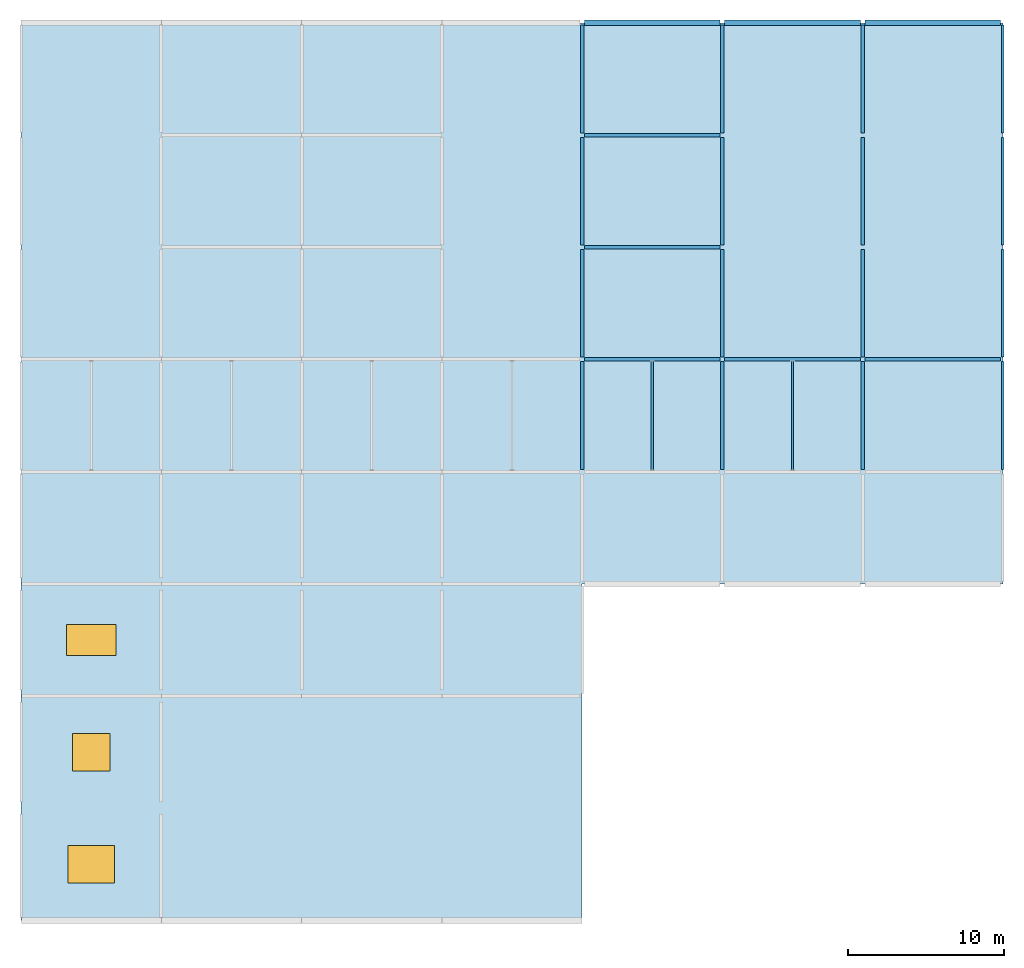
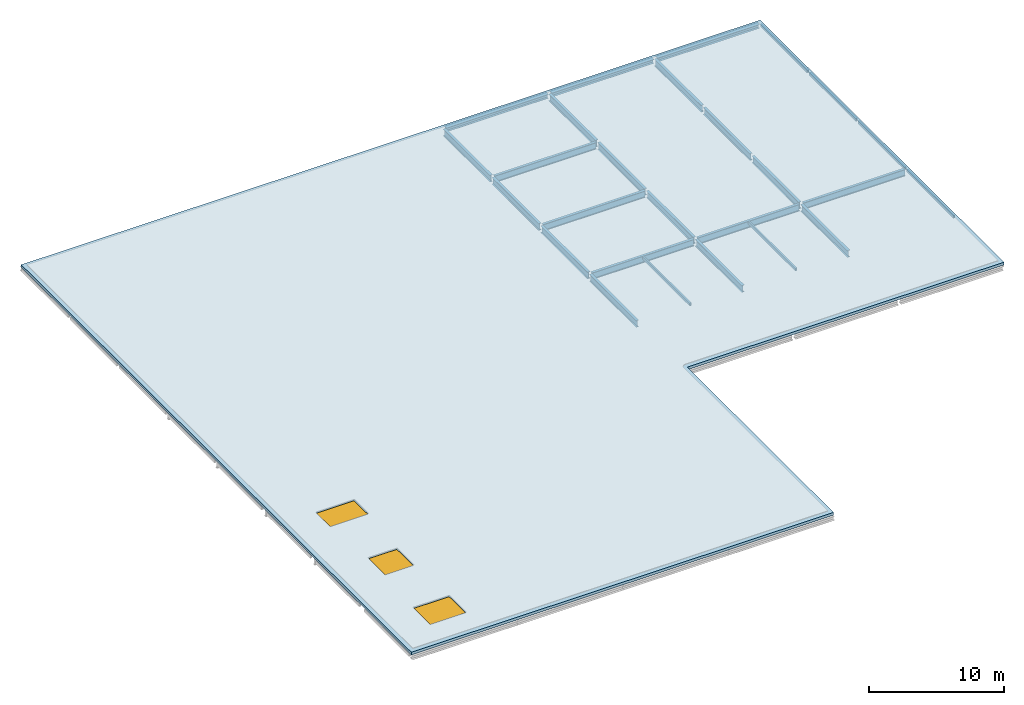
# One storey, part 2 of 7: 24 beams, 3 windows, 2 members, 1 slab, 3 openings.
"""IFC4 building model written with IfcOpenShell, lengths in metres."""

from ifc_helpers import new_model, si_unit, direction, frame, origin, origin_2d, place, context, subcontext, project, spatial, polyline, rectangle, hollow_rectangle, i_section, outline, extrude, material, layer, layer_set, material_profile, profile_set, type_object, element, fill, save


model = new_model("IFC4")

# Units and contexts
model_context = context("Model", 3, precision=1e-05, world=origin(), true_north=direction((0.0, 1.0)))
body_context = subcontext(model_context, "Body", "Model", "MODEL_VIEW")
ifc_project = project(units=[si_unit("LENGTHUNIT", "METRE"), si_unit("AREAUNIT", "SQUARE_METRE"), si_unit("VOLUMEUNIT", "CUBIC_METRE"), si_unit("PLANEANGLEUNIT", "RADIAN"), si_unit("MASSUNIT", "GRAM", prefix="KILO")], contexts=[model_context])

# Site, building, storey
site_placement = place(None, origin())
site = spatial("IfcSite", under=ifc_project, at=site_placement, CompositionType="ELEMENT")
building_placement = place(site_placement, origin())
building = spatial("IfcBuilding", under=site, at=building_placement, Name="Celestram Park Convention Centre", CompositionType="ELEMENT")
storey_placement = place(building_placement, frame((0.0, 0.0, 28.800048828125)))
storey = spatial("IfcBuildingStorey", under=building, at=storey_placement, Name="RF", CompositionType="ELEMENT", Elevation=28.800048828125)

# Beams
ifc_material_1 = material(Name="Steel ASTM A992 Grade 50", Category="steel")
ifc_material_profile_1 = material_profile(ifc_material_1, i_section(OverallWidth=0.22900390625, OverallDepth=0.612060546875, WebThickness=0.011962890625, FlangeThickness=0.01953125, at=origin_2d()), Name="W24X84")
ifc_profile_set_1 = profile_set([ifc_material_profile_1], Name="Steel ASTM A992 Grade 50")
beam_type_1 = type_object("IfcBeamType", Name="STR-BM-W24X84", PredefinedType="BEAM", material=ifc_profile_set_1)
beam_1_placement = place(storey_placement, frame((72.0, 136.9462890625, -0.546142578125), z_axis=(0.0, 1.0, 0.0), x_axis=(-1.0, 0.0, 0.0)))
element("IfcBeam", 1, at=beam_1_placement, inside=storey, type_object=beam_type_1, Name="Primary Y-girder BG-RF-0061", PredefinedType="BEAM", context=body_context, shape_type="SweptSolid", body=[
    extrude(i_section(OverallWidth=0.22900390625, OverallDepth=0.612060546875, WebThickness=0.011962890625, FlangeThickness=0.01953125, at=origin_2d()), origin(), (0.0, 0.0, 1.0), 6.907470703125),
])
beam_2_placement = place(storey_placement, frame((72.146240234375, 144.0, -0.546142578125), z_axis=(1.0, 0.0, 0.0), x_axis=(0.0, 1.0, 0.0)))
element("IfcBeam", 2, at=beam_2_placement, inside=storey, type_object=beam_type_1, Name="Primary X-girder BG-RF-0062", PredefinedType="BEAM", context=body_context, shape_type="SweptSolid", body=[
    extrude(i_section(OverallWidth=0.22900390625, OverallDepth=0.612060546875, WebThickness=0.011962890625, FlangeThickness=0.01953125, at=origin_2d()), origin(), (0.0, 0.0, 1.0), 8.70751953125),
])
beam_3_placement = place(storey_placement, frame((72.0, 144.146240234375, -0.546142578125), z_axis=(0.0, 1.0, 0.0), x_axis=(-1.0, 0.0, 0.0)))
element("IfcBeam", 3, at=beam_3_placement, inside=storey, type_object=beam_type_1, Name="Primary Y-girder BG-RF-0063", PredefinedType="BEAM", context=body_context, shape_type="SweptSolid", body=[
    extrude(i_section(OverallWidth=0.22900390625, OverallDepth=0.612060546875, WebThickness=0.011962890625, FlangeThickness=0.01953125, at=origin_2d()), origin(), (0.0, 0.0, 1.0), 6.907470703125),
])
beam_4_placement = place(storey_placement, frame((72.146240234375, 151.199951171875, -0.546142578125), z_axis=(1.0, 0.0, 0.0), x_axis=(0.0, 1.0, 0.0)))
element("IfcBeam", 4, at=beam_4_placement, inside=storey, type_object=beam_type_1, Name="Primary X-girder BG-RF-0064", PredefinedType="BEAM", context=body_context, shape_type="SweptSolid", body=[
    extrude(i_section(OverallWidth=0.22900390625, OverallDepth=0.612060546875, WebThickness=0.011962890625, FlangeThickness=0.01953125, at=origin_2d()), origin(), (0.0, 0.0, 1.0), 8.70751953125),
])
beam_5_placement = place(storey_placement, frame((72.0, 151.34619140625, -0.546142578125), z_axis=(0.0, 1.0, 0.0), x_axis=(-1.0, 0.0, 0.0)))
element("IfcBeam", 5, at=beam_5_placement, inside=storey, type_object=beam_type_1, Name="Primary Y-girder BG-RF-0065", PredefinedType="BEAM", context=body_context, shape_type="SweptSolid", body=[
    extrude(i_section(OverallWidth=0.22900390625, OverallDepth=0.612060546875, WebThickness=0.011962890625, FlangeThickness=0.01953125, at=origin_2d()), origin(), (0.0, 0.0, 1.0), 6.90771484375),
])
beam_6_placement = place(storey_placement, frame((72.146240234375, 158.39990234375, -0.546142578125), z_axis=(1.0, 0.0, 0.0), x_axis=(0.0, 1.0, 0.0)))
element("IfcBeam", 6, at=beam_6_placement, inside=storey, type_object=beam_type_1, Name="Primary X-girder BG-RF-0066", PredefinedType="BEAM", context=body_context, shape_type="SweptSolid", body=[
    extrude(i_section(OverallWidth=0.22900390625, OverallDepth=0.612060546875, WebThickness=0.011962890625, FlangeThickness=0.01953125, at=origin_2d()), origin(), (0.0, 0.0, 1.0), 8.70751953125),
])
beam_7_placement = place(storey_placement, frame((72.0, 158.546142578125, -0.546142578125), z_axis=(0.0, 1.0, 0.0), x_axis=(-1.0, 0.0, 0.0)))
element("IfcBeam", 7, at=beam_7_placement, inside=storey, type_object=beam_type_1, Name="Primary Y-girder BG-RF-0067", PredefinedType="BEAM", context=body_context, shape_type="SweptSolid", body=[
    extrude(i_section(OverallWidth=0.22900390625, OverallDepth=0.612060546875, WebThickness=0.011962890625, FlangeThickness=0.01953125, at=origin_2d()), origin(), (0.0, 0.0, 1.0), 6.90771484375),
])
beam_8_placement = place(storey_placement, frame((81.0, 136.9462890625, -0.546142578125), z_axis=(0.0, 1.0, 0.0), x_axis=(-1.0, 0.0, 0.0)))
element("IfcBeam", 8, at=beam_8_placement, inside=storey, type_object=beam_type_1, Name="Primary Y-girder BG-RF-0072", PredefinedType="BEAM", context=body_context, shape_type="SweptSolid", body=[
    extrude(i_section(OverallWidth=0.22900390625, OverallDepth=0.612060546875, WebThickness=0.011962890625, FlangeThickness=0.01953125, at=origin_2d()), origin(), (0.0, 0.0, 1.0), 6.907470703125),
])
beam_9_placement = place(storey_placement, frame((81.146240234375, 144.0, -0.546142578125), z_axis=(1.0, 0.0, 0.0), x_axis=(0.0, 1.0, 0.0)))
element("IfcBeam", 9, at=beam_9_placement, inside=storey, type_object=beam_type_1, Name="Primary X-girder BG-RF-0073", PredefinedType="BEAM", context=body_context, shape_type="SweptSolid", body=[
    extrude(i_section(OverallWidth=0.22900390625, OverallDepth=0.612060546875, WebThickness=0.011962890625, FlangeThickness=0.01953125, at=origin_2d()), origin(), (0.0, 0.0, 1.0), 8.70751953125),
])
beam_10_placement = place(storey_placement, frame((81.0, 144.146240234375, -0.546142578125), z_axis=(0.0, 1.0, 0.0), x_axis=(-1.0, 0.0, 0.0)))
element("IfcBeam", 10, at=beam_10_placement, inside=storey, type_object=beam_type_1, Name="Primary Y-girder BG-RF-0074", PredefinedType="BEAM", context=body_context, shape_type="SweptSolid", body=[
    extrude(i_section(OverallWidth=0.22900390625, OverallDepth=0.612060546875, WebThickness=0.011962890625, FlangeThickness=0.01953125, at=origin_2d()), origin(), (0.0, 0.0, 1.0), 6.907470703125),
])
for number, where, z_axis, x_axis, name in (
    (11, (81.0, 151.34619140625, -0.546142578125), (0.0, 1.0, 0.0), (-1.0, 0.0, 0.0), "Primary Y-girder BG-RF-0075"),
    (12, (81.0, 158.546142578125, -0.546142578125), (0.0, 1.0, 0.0), (-1.0, 0.0, 0.0), "Primary Y-girder BG-RF-0076"),
):
    element("IfcBeam", number, at=place(storey_placement, frame(where, z_axis=z_axis, x_axis=x_axis)), inside=storey, type_object=beam_type_1, Name=name, PredefinedType="BEAM", context=body_context, shape_type="SweptSolid", body=[
        extrude(i_section(OverallWidth=0.22900390625, OverallDepth=0.612060546875, WebThickness=0.011962890625, FlangeThickness=0.01953125, at=origin_2d()), origin(), (0.0, 0.0, 1.0), 6.90771484375),
    ])
beam_11_placement = place(storey_placement, frame((90.0, 136.9462890625, -0.546142578125), z_axis=(0.0, 1.0, 0.0), x_axis=(-1.0, 0.0, 0.0)))
element("IfcBeam", 13, at=beam_11_placement, inside=storey, type_object=beam_type_1, Name="Primary Y-girder BG-RF-0081", PredefinedType="BEAM", context=body_context, shape_type="SweptSolid", body=[
    extrude(i_section(OverallWidth=0.22900390625, OverallDepth=0.612060546875, WebThickness=0.011962890625, FlangeThickness=0.01953125, at=origin_2d()), origin(), (0.0, 0.0, 1.0), 6.907470703125),
])
beam_12_placement = place(storey_placement, frame((90.146240234375, 144.0, -0.546142578125), z_axis=(1.0, 0.0, 0.0), x_axis=(0.0, 1.0, 0.0)))
element("IfcBeam", 14, at=beam_12_placement, inside=storey, type_object=beam_type_1, Name="Primary X-girder BG-RF-0082", PredefinedType="BEAM", context=body_context, shape_type="SweptSolid", body=[
    extrude(i_section(OverallWidth=0.22900390625, OverallDepth=0.612060546875, WebThickness=0.011962890625, FlangeThickness=0.01953125, at=origin_2d()), origin(), (0.0, 0.0, 1.0), 8.70751953125),
])
beam_13_placement = place(storey_placement, frame((90.0, 144.146240234375, -0.546142578125), z_axis=(0.0, 1.0, 0.0), x_axis=(-1.0, 0.0, 0.0)))
element("IfcBeam", 15, at=beam_13_placement, inside=storey, type_object=beam_type_1, Name="Primary Y-girder BG-RF-0083", PredefinedType="BEAM", context=body_context, shape_type="SweptSolid", body=[
    extrude(i_section(OverallWidth=0.22900390625, OverallDepth=0.612060546875, WebThickness=0.011962890625, FlangeThickness=0.01953125, at=origin_2d()), origin(), (0.0, 0.0, 1.0), 6.907470703125),
])
for number, where, z_axis, x_axis, name in (
    (16, (90.0, 151.34619140625, -0.546142578125), (0.0, 1.0, 0.0), (-1.0, 0.0, 0.0), "Primary Y-girder BG-RF-0084"),
    (17, (90.0, 158.546142578125, -0.546142578125), (0.0, 1.0, 0.0), (-1.0, 0.0, 0.0), "Primary Y-girder BG-RF-0085"),
):
    element("IfcBeam", number, at=place(storey_placement, frame(where, z_axis=z_axis, x_axis=x_axis)), inside=storey, type_object=beam_type_1, Name=name, PredefinedType="BEAM", context=body_context, shape_type="SweptSolid", body=[
        extrude(i_section(OverallWidth=0.22900390625, OverallDepth=0.612060546875, WebThickness=0.011962890625, FlangeThickness=0.01953125, at=origin_2d()), origin(), (0.0, 0.0, 1.0), 6.90771484375),
    ])

# Members
ifc_material_2 = material(Name="Steel ASTM A500 Grade C", Category="steel")
ifc_material_profile_2 = material_profile(ifc_material_2, hollow_rectangle(XDim=0.14990234375, YDim=0.25, WallThickness=0.010009765625, at=origin_2d()), Name="HSS250X150X10")
ifc_profile_set_2 = profile_set([ifc_material_profile_2], Name="Steel ASTM A500 Grade C")
member_type = type_object("IfcMemberType", Name="STR-RFT-HSS250X150", PredefinedType="RAFTER", material=ifc_profile_set_2)
for number, where, z_axis, x_axis, name in (
    (18, (76.5, 136.909912109375, -0.364990234375), (0.0, 1.0, 0.0), (-1.0, 0.0, 0.0), "Crown flat roof purlin"),
    (19, (85.5, 136.909912109375, -0.364990234375), (0.0, 1.0, 0.0), (-1.0, 0.0, 0.0), "Crown flat roof purlin"),
):
    element("IfcMember", number, at=place(storey_placement, frame(where, z_axis=z_axis, x_axis=x_axis)), inside=storey, type_object=member_type, Name=name, PredefinedType="RAFTER", context=body_context, shape_type="SweptSolid", body=[
        extrude(hollow_rectangle(XDim=0.14990234375, YDim=0.25, WallThickness=0.010009765625, at=origin_2d()), origin(), (0.0, 0.0, 1.0), 6.97998046875),
    ])

# Beams
ifc_material_profile_3 = material_profile(ifc_material_2, hollow_rectangle(XDim=0.14990234375, YDim=0.25, WallThickness=0.010009765625, at=origin_2d()), Name="HSS250X150X10")
ifc_profile_set_3 = profile_set([ifc_material_profile_3], Name="Steel ASTM A500 Grade C")
beam_type_2 = type_object("IfcBeamType", Name="STR-SPN-HSS250X150", PredefinedType="SPANDREL", material=ifc_profile_set_3)
for number, where, z_axis, x_axis, name in (
    (20, (99.0, 136.9462890625, -0.364990234375), (0.0, 1.0, 0.0), (-1.0, 0.0, 0.0), "Primary Y-girder BG-RF-0088"),
    (21, (99.0, 144.146240234375, -0.364990234375), (0.0, 1.0, 0.0), (-1.0, 0.0, 0.0), "Primary Y-girder BG-RF-0089"),
):
    element("IfcBeam", number, at=place(storey_placement, frame(where, z_axis=z_axis, x_axis=x_axis)), inside=storey, type_object=beam_type_2, Name=name, PredefinedType="SPANDREL", context=body_context, shape_type="SweptSolid", body=[
        extrude(hollow_rectangle(XDim=0.14990234375, YDim=0.25, WallThickness=0.010009765625, at=origin_2d()), origin(), (0.0, 0.0, 1.0), 6.907470703125),
    ])
for number, where, z_axis, x_axis, name in (
    (22, (99.0, 151.34619140625, -0.364990234375), (0.0, 1.0, 0.0), (-1.0, 0.0, 0.0), "Primary Y-girder BG-RF-0090"),
    (23, (99.0, 158.546142578125, -0.364990234375), (0.0, 1.0, 0.0), (-1.0, 0.0, 0.0), "Primary Y-girder BG-RF-0091"),
):
    element("IfcBeam", number, at=place(storey_placement, frame(where, z_axis=z_axis, x_axis=x_axis)), inside=storey, type_object=beam_type_2, Name=name, PredefinedType="SPANDREL", context=body_context, shape_type="SweptSolid", body=[
        extrude(hollow_rectangle(XDim=0.14990234375, YDim=0.25, WallThickness=0.010009765625, at=origin_2d()), origin(), (0.0, 0.0, 1.0), 6.90771484375),
    ])
ifc_material_profile_4 = material_profile(ifc_material_1, i_section(OverallWidth=0.367919921875, OverallDepth=0.35595703125, WebThickness=0.01123046875, FlangeThickness=0.01806640625, at=origin_2d()), Name="W14X90")
ifc_profile_set_4 = profile_set([ifc_material_profile_4], Name="Steel ASTM A992 Grade 50")
beam_type_3 = type_object("IfcBeamType", Name="STR-SPN-W14X90", PredefinedType="SPANDREL", material=ifc_profile_set_4)
for number, where, z_axis, x_axis, name in (
    (24, (72.146240234375, 165.60009765625, -0.41796875), (1.0, 0.0, 0.0), (0.0, 1.0, 0.0), "Primary X-girder BG-RF-0068"),
    (25, (81.146240234375, 165.60009765625, -0.41796875), (1.0, 0.0, 0.0), (0.0, 1.0, 0.0), "Primary X-girder BG-RF-0077"),
    (26, (90.146240234375, 165.60009765625, -0.41796875), (1.0, 0.0, 0.0), (0.0, 1.0, 0.0), "Primary X-girder BG-RF-0086"),
):
    element("IfcBeam", number, at=place(storey_placement, frame(where, z_axis=z_axis, x_axis=x_axis)), inside=storey, type_object=beam_type_3, Name=name, PredefinedType="SPANDREL", context=body_context, shape_type="SweptSolid", body=[
        extrude(i_section(OverallWidth=0.367919921875, OverallDepth=0.35595703125, WebThickness=0.01123046875, FlangeThickness=0.01806640625, at=origin_2d()), origin(), (0.0, 0.0, 1.0), 8.70751953125),
    ])

# Slab, openings, windows
ifc_material_3 = material(Name="Concrete C35/45", Category="concrete")
ifc_layer = layer(ifc_material_3, 0.239990234375)
ifc_layer_set = layer_set([ifc_layer], Name="Concrete C35/45")
slab_type = type_object("IfcSlabType", Name="STR-SLB-ROOF240", PredefinedType="ROOF", material=ifc_layer_set)
slab_placement = place(storey_placement, frame((0.0, 0.0, -0.239990234375)))
slab = element("IfcSlab", 27, at=slab_placement, inside=storey, type_object=slab_type, Name="Insulated flat roof deck SL-RF-RF043", PredefinedType="ROOF", context=body_context, shape_type="SweptSolid", body=[
    extrude(outline(polyline([(36.0, 129.60009765625), (36.0, 136.800048828125), (36.0, 165.60009765625), (99.0, 165.60009765625), (99.0, 129.60009765625), (72.0, 129.60009765625), (72.0, 108.0), (36.0, 108.0), (36.0, 129.60009765625)])), origin(), (0.0, 0.0, 1.0), 0.239990234375),
])
opening_1_placement = place(slab_placement, frame((40.5, 111.60009765625, -0.010009765625)))
opening_1 = element("IfcOpeningElement", 28, at=opening_1_placement, cuts=slab, Name="Opening SK-02", PredefinedType="OPENING", context=body_context, shape_type="SweptSolid", body=[
    extrude(rectangle(XDim=3.0, YDim=2.39990234375, at=origin_2d()), origin(), (0.0, 0.0, 1.0), 0.260009765625),
])
opening_2_placement = place(slab_placement, frame((40.5, 118.800048828125, -0.010009765625)))
opening_2 = element("IfcOpeningElement", 29, at=opening_2_placement, cuts=slab, Name="Opening SK-03", PredefinedType="OPENING", context=body_context, shape_type="SweptSolid", body=[
    extrude(rectangle(XDim=2.39990234375, YDim=2.39990234375, at=origin_2d()), origin(), (0.0, 0.0, 1.0), 0.260009765625),
])
opening_3_placement = place(slab_placement, frame((40.5, 126.0, -0.010009765625)))
opening_3 = element("IfcOpeningElement", 30, at=opening_3_placement, cuts=slab, Name="Opening SK-04", PredefinedType="OPENING", context=body_context, shape_type="SweptSolid", body=[
    extrude(rectangle(XDim=3.199951171875, YDim=2.0, at=origin_2d()), origin(), (0.0, 0.0, 1.0), 0.260009765625),
])
ifc_material_4 = material(Name="Thermally Broken Aluminium & Triple Glazing", Category="aluminium")
window_type_1 = type_object("IfcWindowType", Name="ARC-SK-240X240", PartitioningType="SINGLE_PANEL", PredefinedType="SKYLIGHT", material=ifc_material_4)
window_1_placement = place(opening_2_placement, frame((0.0, 0.0, 0.199951171875)))
window_1 = element("IfcWindow", 31, at=window_1_placement, inside=storey, type_object=window_type_1, Name="Insulated roof skylight SK-RF-11", OverallHeight=2.39990234375, OverallWidth=2.39990234375, PartitioningType="SINGLE_PANEL", PredefinedType="SKYLIGHT", context=body_context, shape_type="SweptSolid", body=[
    extrude(rectangle(XDim=2.39990234375, YDim=2.39990234375, at=origin_2d()), origin(), (0.0, 0.0, 1.0), 0.050048828125),
])
fill(opening_2, window_1)
window_type_2 = type_object("IfcWindowType", Name="ARC-SK-300X240", PartitioningType="SINGLE_PANEL", PredefinedType="SKYLIGHT", material=ifc_material_4)
window_2_placement = place(opening_1_placement, frame((0.0, 0.0, 0.199951171875)))
window_2 = element("IfcWindow", 32, at=window_2_placement, inside=storey, type_object=window_type_2, Name="Insulated roof skylight SK-RF-10", OverallHeight=2.39990234375, OverallWidth=3.0, PartitioningType="SINGLE_PANEL", PredefinedType="SKYLIGHT", context=body_context, shape_type="SweptSolid", body=[
    extrude(rectangle(XDim=3.0, YDim=2.39990234375, at=origin_2d()), origin(), (0.0, 0.0, 1.0), 0.050048828125),
])
fill(opening_1, window_2)
window_type_3 = type_object("IfcWindowType", Name="ARC-SK-320X200", PartitioningType="SINGLE_PANEL", PredefinedType="SKYLIGHT", material=ifc_material_4)
window_3_placement = place(opening_3_placement, frame((0.0, 0.0, 0.199951171875)))
window_3 = element("IfcWindow", 33, at=window_3_placement, inside=storey, type_object=window_type_3, Name="Insulated roof skylight SK-RF-12", OverallHeight=2.0, OverallWidth=3.199951171875, PartitioningType="SINGLE_PANEL", PredefinedType="SKYLIGHT", context=body_context, shape_type="SweptSolid", body=[
    extrude(rectangle(XDim=3.199951171875, YDim=2.0, at=origin_2d()), origin(), (0.0, 0.0, 1.0), 0.050048828125),
])
fill(opening_3, window_3)

save(model, "model.ifc")
